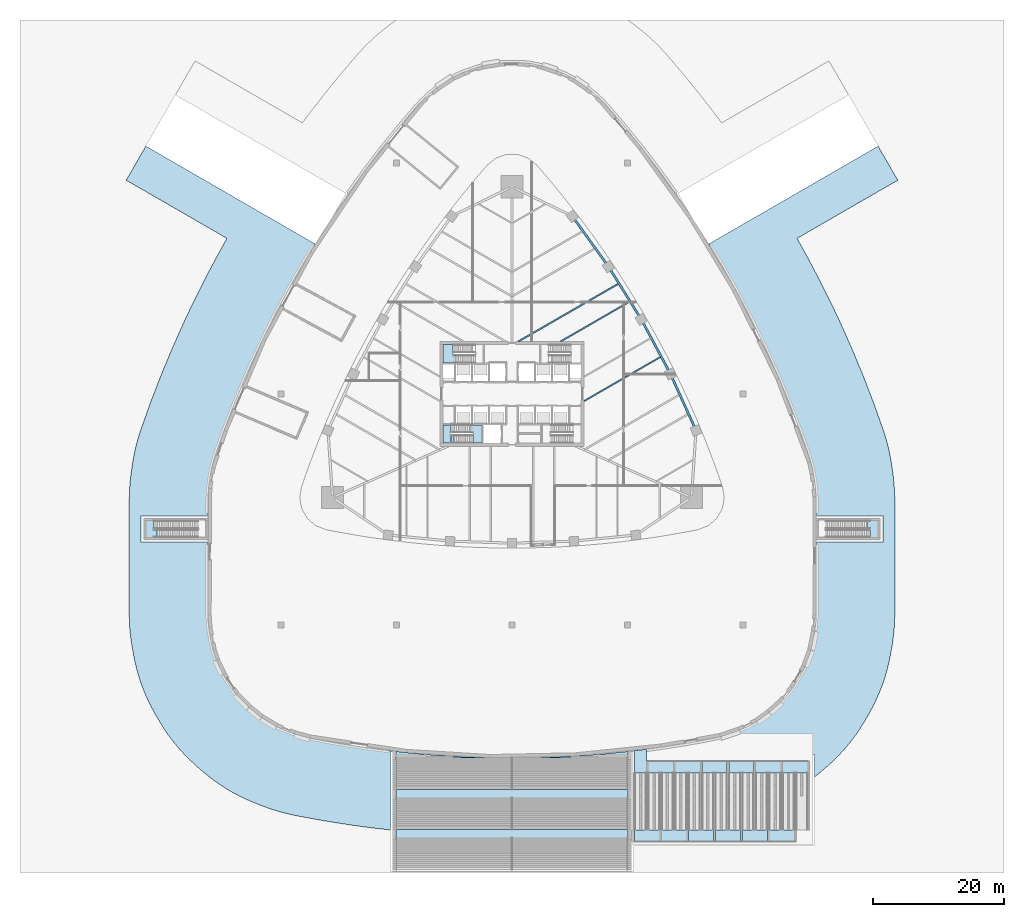
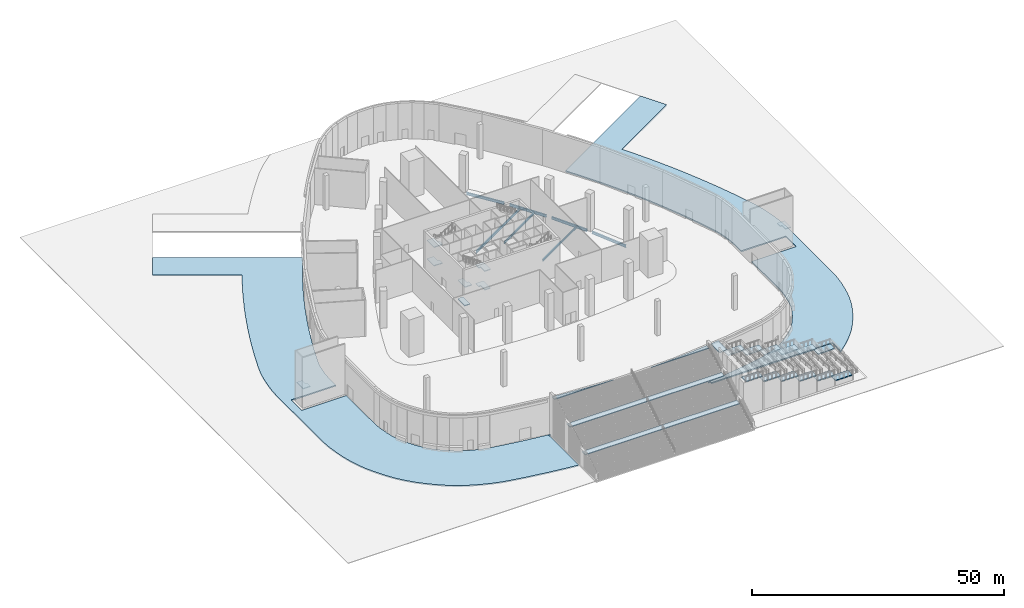
# One storey, part 2 of 29: 27 slabs, 7 beams, 5 elements without a shape of their own.
"""IFC4 building model written with IfcOpenShell, lengths in metres."""

import ifcopenshell
import ifcopenshell.guid

model = None  # the IFC model being written
_history = None  # IfcOwnerHistory: only IFC2X3 demands one
_inside = {}  # id of a spatial element -> (the spatial element, [elements in it])
_under = {}  # id of a project, library or spatial element -> (it, [spatial elements below it])
_declared = {}  # id of a project -> (the project, [libraries it declares])
_typed = {}  # id of a type object -> (the type object, [elements of that type])
_made_of = {}  # id of a material, layer set ... -> (it, [elements and type objects made of it])


def new_model(schema):
    """Start an empty IFC model of exactly this schema.

    Asked for "IFC4X3", IfcOpenShell would pick the latest addendum, in which some entities
    have other attributes; the version numbers below select the first issue.
    IFC2X3 requires an IfcOwnerHistory on every rooted entity: one is made here for all.
    """
    global model, _history
    if schema == "IFC4X3":
        model = ifcopenshell.file(schema_version=(4, 3, 0, 0))
    else:
        model = ifcopenshell.file(schema=schema)
    _inside.clear()
    _under.clear()
    _declared.clear()
    _typed.clear()
    _made_of.clear()
    _history = None
    if model.schema == "IFC2X3":
        org = make("IfcOrganization", Name="unknown")
        user = make(
            "IfcPersonAndOrganization",
            ThePerson=make("IfcPerson", FamilyName="unknown"),
            TheOrganization=org,
        )
        app = make(
            "IfcApplication",
            ApplicationDeveloper=org,
            Version="unknown",
            ApplicationFullName="unknown",
            ApplicationIdentifier="unknown",
        )
        _history = make(
            "IfcOwnerHistory",
            OwningUser=user,
            OwningApplication=app,
            ChangeAction="ADDED",
            CreationDate=0,
        )
    return model


def make(cls, **values):
    """One entity of the class cls with the attributes given. An attribute that is None is left unset."""
    return model.create_entity(
        cls, **{name: value for name, value in values.items() if value is not None}
    )


def rooted(cls, **values):
    """An entity with a GlobalId (a new one), such as an element, a storey or a relation."""
    return make(cls, GlobalId=ifcopenshell.guid.new(), OwnerHistory=_history, **values)


def si_unit(unit_type, name, prefix=None):
    """IfcSIUnit, for example si_unit("LENGTHUNIT", "METRE", prefix="MILLI")."""
    return make("IfcSIUnit", UnitType=unit_type, Prefix=prefix, Name=name)


def assignment(units):
    """IfcUnitAssignment: the units of a project."""
    return None if units is None else make("IfcUnitAssignment", Units=units)


def point(xyz):
    """IfcCartesianPoint."""
    return None if xyz is None else make("IfcCartesianPoint", Coordinates=xyz)


def direction(xyz):
    """IfcDirection."""
    return None if xyz is None else make("IfcDirection", DirectionRatios=xyz)


def frame(location, z_axis=None, x_axis=None):
    """IfcAxis2Placement3D, a coordinate frame: its origin and axes. An axis left out is left unset."""
    return make(
        "IfcAxis2Placement3D",
        Location=point(location),
        Axis=direction(z_axis),
        RefDirection=direction(x_axis),
    )


def frame_2d(location, x_axis=None):
    """IfcAxis2Placement2D, a coordinate frame in the plane: its origin and x axis."""
    return make(
        "IfcAxis2Placement2D", Location=point(location), RefDirection=direction(x_axis)
    )


def origin():
    """The frame at (0, 0, 0) with its axes left unset."""
    return frame((0.0, 0.0, 0.0))


def origin_2d():
    """The frame at (0, 0) in the plane with its x axis left unset."""
    return frame_2d((0.0, 0.0))


def place(relative_to, where):
    """IfcLocalPlacement: puts the frame where relative to a parent placement (None: the world)."""
    return make(
        "IfcLocalPlacement", PlacementRelTo=relative_to, RelativePlacement=where
    )


def context(
    kind, dimensions, precision=None, world=None, true_north=None, identifier=None
):
    """IfcGeometricRepresentationContext, for example the 3D "Model" context."""
    return make(
        "IfcGeometricRepresentationContext",
        ContextIdentifier=identifier,
        ContextType=kind,
        CoordinateSpaceDimension=dimensions,
        Precision=precision,
        WorldCoordinateSystem=world,
        TrueNorth=true_north,
    )


def subcontext(parent, identifier, kind, view, scale=None):
    """IfcGeometricRepresentationSubContext, for example "Body" below "Model"."""
    return make(
        "IfcGeometricRepresentationSubContext",
        ContextIdentifier=identifier,
        ContextType=kind,
        ParentContext=parent,
        TargetScale=scale,
        TargetView=view,
    )


def project(units=None, contexts=None):
    """IfcProject with its units and contexts."""
    return rooted(
        "IfcProject",
        Name="project",
        RepresentationContexts=contexts,
        UnitsInContext=assignment(units),
    )


def spatial(cls, under=None, at=None, **own):
    """A site, building, storey or space (cls), placed at a placement, below another one or the project."""
    s = rooted(cls, ObjectPlacement=at, **own)
    if under is not None:
        _under.setdefault(under.id(), (under, []))[1].append(s)
    return s


def polyline(points):
    """IfcPolyline through the points."""
    return make("IfcPolyline", Points=[point(p) for p in points])


def profile(cls, at=None, kind="AREA", **sizes):
    """A parametric profile (cls). Its sizes go by their IFC names, for example OverallWidth=200.0."""
    return make(cls, ProfileType=kind, Position=at, **sizes)


def i_section(**sizes):
    """IfcIShapeProfileDef."""
    return profile("IfcIShapeProfileDef", **sizes)


def outline(outer, holes=None, kind="AREA"):
    """IfcArbitraryClosedProfileDef: a profile drawn as a closed curve; with holes, ...WithVoids."""
    if holes is None:
        return make("IfcArbitraryClosedProfileDef", ProfileType=kind, OuterCurve=outer)
    return make(
        "IfcArbitraryProfileDefWithVoids",
        ProfileType=kind,
        OuterCurve=outer,
        InnerCurves=holes,
    )


def extrude(swept, where, along, depth):
    """IfcExtrudedAreaSolid: the profile swept, set in the frame where, extruded along a direction by depth."""
    return make(
        "IfcExtrudedAreaSolid",
        SweptArea=swept,
        Position=where,
        ExtrudedDirection=direction(along),
        Depth=depth,
    )


def shape(context_of_items, identifier, shape_type, items):
    """IfcShapeRepresentation: the items that make up one representation, for example the "Body"."""
    return make(
        "IfcShapeRepresentation",
        ContextOfItems=context_of_items,
        RepresentationIdentifier=identifier,
        RepresentationType=shape_type,
        Items=items,
    )


def material(Name=None, Category=None):
    """IfcMaterial."""
    return make("IfcMaterial", Name=Name, Category=Category)


def layer(
    of_material, thickness, ventilated=None, Name=None, Category=None, Priority=None
):
    """IfcMaterialLayer: one layer of a wall or slab, of a material (None: an air gap)."""
    return make(
        "IfcMaterialLayer",
        Material=of_material,
        LayerThickness=thickness,
        IsVentilated=ventilated,
        Name=Name,
        Category=Category,
        Priority=Priority,
    )


def layer_set(layers, Name=None):
    """IfcMaterialLayerSet."""
    return make("IfcMaterialLayerSet", MaterialLayers=layers, LayerSetName=Name)


def material_profile(
    of_material, cross_section, Name=None, Category=None, Priority=None
):
    """IfcMaterialProfile: a cross section and its material."""
    return make(
        "IfcMaterialProfile",
        Name=Name,
        Material=of_material,
        Profile=cross_section,
        Priority=Priority,
        Category=Category,
    )


def profile_set(profiles, Name=None, composite=None):
    """IfcMaterialProfileSet."""
    return make(
        "IfcMaterialProfileSet",
        Name=Name,
        MaterialProfiles=profiles,
        CompositeProfile=composite,
    )


def made_of(thing, what):
    """Note that an element or type object is made of a material, layer set ...; save() writes the relation."""
    if what is not None:
        _made_of.setdefault(what.id(), (what, []))[1].append(thing)
    return thing


def type_object(cls, material=None, **own):
    """A type object (cls), such as IfcWallType, which elements share."""
    return made_of(rooted(cls, **own), material)


def element(
    cls,
    number,
    at=None,
    inside=None,
    cuts=None,
    type_object=None,
    material=None,
    context=None,
    identifier="Body",
    shape_type=None,
    held_by="IfcProductDefinitionShape",
    body=None,
    shapes=None,
    **own,
):
    """One element of the class cls, such as IfcWall. Its Tag is "e" and its number.

    at: its placement. inside: the storey or other place that contains it. cuts: it is an
    opening in that element (IfcRelVoidsElement). A single representation is given by context,
    identifier, shape_type and body (its items); several are given by shapes. held_by: the class
    of the entity that holds the representations. save() writes the other relations.
    """
    e = rooted(cls, Tag="e%d" % number, ObjectPlacement=at, **own)
    if body is not None:
        shapes = [shape(context, identifier, shape_type, body)]
    if shapes is not None:
        e.Representation = make(held_by, Representations=shapes)
    if inside is not None:
        _inside.setdefault(inside.id(), (inside, []))[1].append(e)
    if cuts is not None:
        rooted(
            "IfcRelVoidsElement", RelatingBuildingElement=cuts, RelatedOpeningElement=e
        )
    if type_object is not None:
        _typed.setdefault(type_object.id(), (type_object, []))[1].append(e)
    return made_of(e, material)


def aggregate(whole, parts):
    """IfcRelAggregates: a whole, such as a stair, and the parts it consists of."""
    return rooted("IfcRelAggregates", RelatingObject=whole, RelatedObjects=parts)


def save(model, path):
    """Write the relations noted so far, then the file.

    IfcRelAggregates (storeys below a building ...), IfcRelContainedInSpatialStructure (elements
    in a storey), IfcRelDefinesByType, IfcRelAssociatesMaterial and IfcRelDeclares: one each for
    every whole, place, type object, material and project.
    """
    for whole, parts in _under.values():
        aggregate(whole, parts)
    for where, things in _inside.values():
        rooted(
            "IfcRelContainedInSpatialStructure",
            RelatedElements=things,
            RelatingStructure=where,
        )
    for kind, things in _typed.values():
        rooted("IfcRelDefinesByType", RelatedObjects=things, RelatingType=kind)
    for what, things in _made_of.values():
        rooted("IfcRelAssociatesMaterial", RelatedObjects=things, RelatingMaterial=what)
    for by, libraries in _declared.values():
        rooted("IfcRelDeclares", RelatingContext=by, RelatedDefinitions=libraries)
    model.write(path)


model = new_model("IFC4")

# Units and contexts
model_context = context("Model", 3, precision=1e-05, world=origin(), true_north=direction((0.0, 1.0)))
body_context = subcontext(model_context, "Body", "Model", "MODEL_VIEW")
ifc_project = project(units=[si_unit("LENGTHUNIT", "METRE"), si_unit("AREAUNIT", "SQUARE_METRE"), si_unit("VOLUMEUNIT", "CUBIC_METRE"), si_unit("PLANEANGLEUNIT", "RADIAN"), si_unit("MASSUNIT", "GRAM", prefix="KILO")], contexts=[model_context])

# Site, building, storey
site_placement = place(None, origin())
site = spatial("IfcSite", under=ifc_project, at=site_placement, CompositionType="ELEMENT")
building_placement = place(site_placement, origin())
building = spatial("IfcBuilding", under=site, at=building_placement, Name="Sierra Prisma Convention Tower", CompositionType="ELEMENT")
storey_placement = place(building_placement, origin())
storey = spatial("IfcBuildingStorey", under=building, at=storey_placement, Name="L00", CompositionType="ELEMENT", Elevation=0.0)

# Beams
ifc_material_1 = material(Name="Steel ASTM A992 Gr 50", Category="steel")
ifc_material_profile_1 = material_profile(ifc_material_1, i_section(OverallWidth=0.208984375, OverallDepth=0.532958984375, WebThickness=0.01025390625, FlangeThickness=0.015625, at=origin_2d()), Name="W530x92")
ifc_profile_set_1 = profile_set([ifc_material_profile_1], Name="Steel ASTM A992 Gr 50")
beam_type_1 = type_object("IfcBeamType", Name="Floor joist W530x92", PredefinedType="JOIST", material=ifc_profile_set_1)
beam_1_placement = place(storey_placement, frame((22.639404296875, 5.638671875, -0.5166015625), z_axis=(-0.866026773083, -0.499997628298, 0.0), x_axis=(0.499997628298, -0.866026773083, 0.0)))
element("IfcBeam", 1, at=beam_1_placement, inside=storey, type_object=beam_type_1, Name="Floor joist L00 NE07", PredefinedType="JOIST", context=body_context, shape_type="SweptSolid", body=[
    extrude(i_section(OverallWidth=0.208984375, OverallDepth=0.532958984375, WebThickness=0.01025390625, FlangeThickness=0.015625, at=origin_2d()), origin(), (0.0, 0.0, 1.0), 13.43994140625),
])
beam_2_placement = place(storey_placement, frame((17.90380859375, 14.052978515625, -0.5166015625), z_axis=(-0.866021694642, -0.500006424369, 0.0), x_axis=(0.500006424369, -0.866021694642, 0.0)))
element("IfcBeam", 2, at=beam_2_placement, inside=storey, type_object=beam_type_1, Name="Floor joist L00 NE10", PredefinedType="JOIST", context=body_context, shape_type="SweptSolid", body=[
    extrude(i_section(OverallWidth=0.208984375, OverallDepth=0.532958984375, WebThickness=0.01025390625, FlangeThickness=0.015625, at=origin_2d()), origin(), (0.0, 0.0, 1.0), 12.105712890625),
])
ifc_material_2 = material(Name="Steel ASTM A992 Gr 50", Category="steel")
ifc_material_profile_2 = material_profile(ifc_material_2, i_section(OverallWidth=0.22802734375, OverallDepth=0.60302734375, WebThickness=0.010498046875, FlangeThickness=0.014892578125, at=origin_2d()), Name="W610x101")
ifc_profile_set_2 = profile_set([ifc_material_profile_2], Name="Steel ASTM A992 Gr 50")
beam_type_2 = type_object("IfcBeamType", Name="Floor joist W610x101", PredefinedType="JOIST", material=ifc_profile_set_2)
beam_3_placement = place(storey_placement, frame((16.203125, 16.787109375, -0.551513671875), z_axis=(-0.866025498715, -0.499999835575, 0.0), x_axis=(0.499999835575, -0.866025498715, 0.0)))
element("IfcBeam", 3, at=beam_3_placement, inside=storey, type_object=beam_type_2, Name="Floor joist L00 NE11", PredefinedType="JOIST", context=body_context, shape_type="SweptSolid", body=[
    extrude(i_section(OverallWidth=0.22802734375, OverallDepth=0.60302734375, WebThickness=0.010498046875, FlangeThickness=0.014892578125, at=origin_2d()), origin(), (0.0, 0.0, 1.0), 17.57421875),
])
ifc_material_3 = material(Name="Steel ASTM A992 Gr 50", Category="steel")
ifc_material_profile_3 = material_profile(ifc_material_3, i_section(OverallWidth=0.324951171875, OverallDepth=0.615966796875, WebThickness=0.013916015625, FlangeThickness=0.021484375, at=origin_2d()), Name="W610x174")
ifc_profile_set_3 = profile_set([ifc_material_profile_3], Name="Steel ASTM A992 Gr 50")
beam_type_3 = type_object("IfcBeamType", Name="Spandrel beam W610x174", PredefinedType="BEAM", material=ifc_profile_set_3)
beam_4_placement = place(storey_placement, frame((27.8173828125, -5.05029296875, -0.55810546875), z_axis=(-0.41230108384, 0.911047647637, 0.0), x_axis=(-0.911047647637, -0.41230108384, 0.0)))
element("IfcBeam", 4, at=beam_4_placement, inside=storey, type_object=beam_type_3, Name="Spandrel L00-08", PredefinedType="BEAM", context=body_context, shape_type="SweptSolid", body=[
    extrude(i_section(OverallWidth=0.324951171875, OverallDepth=0.615966796875, WebThickness=0.013916015625, FlangeThickness=0.021484375, at=origin_2d()), origin(), (0.0, 0.0, 1.0), 8.294677734375),
])
beam_5_placement = place(storey_placement, frame((23.884521484375, 3.54736328125, -0.55810546875), z_axis=(-0.471267929576, 0.881990101165, 0.0), x_axis=(-0.881990101165, -0.471267929576, 0.0)))
element("IfcBeam", 5, at=beam_5_placement, inside=storey, type_object=beam_type_3, Name="Spandrel L00-09", PredefinedType="BEAM", context=body_context, shape_type="SweptSolid", body=[
    extrude(i_section(OverallWidth=0.324951171875, OverallDepth=0.615966796875, WebThickness=0.013916015625, FlangeThickness=0.021484375, at=origin_2d()), origin(), (0.0, 0.0, 1.0), 8.29443359375),
])
beam_6_placement = place(storey_placement, frame((19.3955078125, 11.867919921875, -0.55810546875), z_axis=(-0.528185415417, 0.849129063771, 0.0), x_axis=(-0.849129063771, -0.528185415417, 0.0)))
element("IfcBeam", 6, at=beam_6_placement, inside=storey, type_object=beam_type_3, Name="Spandrel L00-10", PredefinedType="BEAM", context=body_context, shape_type="SweptSolid", body=[
    extrude(i_section(OverallWidth=0.324951171875, OverallDepth=0.615966796875, WebThickness=0.013916015625, FlangeThickness=0.021484375, at=origin_2d()), origin(), (0.0, 0.0, 1.0), 8.294677734375),
])
beam_7_placement = place(storey_placement, frame((14.36962890625, 19.87548828125, -0.55810546875), z_axis=(-0.582854647492, 0.812576433265, 0.0), x_axis=(-0.812576433265, -0.582854647492, 0.0)))
element("IfcBeam", 7, at=beam_7_placement, inside=storey, type_object=beam_type_3, Name="Spandrel L00-11", PredefinedType="BEAM", context=body_context, shape_type="SweptSolid", body=[
    extrude(i_section(OverallWidth=0.324951171875, OverallDepth=0.615966796875, WebThickness=0.013916015625, FlangeThickness=0.021484375, at=origin_2d()), origin(), (0.0, 0.0, 1.0), 8.294921875),
])

# Slabs
ifc_material_4 = material(Name="Concrete C35/45, limestone finish", Category="masonry")
ifc_layer_1 = layer(ifc_material_4, 0.199951171875)
ifc_layer_set_1 = layer_set([ifc_layer_1], Name="Garden stair head slab 200")
slab_type_1 = type_object("IfcSlabType", Name="Garden stair head slab 200", PredefinedType="FLOOR", material=ifc_layer_set_1)
slab_1_placement = place(storey_placement, frame((0.0, 0.0, 8.800048828125)))
element("IfcSlab", 8, at=slab_1_placement, inside=storey, type_object=slab_type_1, Name="Garden stair head slab west", PredefinedType="FLOOR", context=body_context, shape_type="SweptSolid", body=[
    extrude(outline(polyline([(-4.179443359375, -55.490234375), (-4.178466796875, -55.435546875), (-7.6767578125, -55.313720703125), (-11.9150390625, -55.051513671875), (-16.0908203125, -54.681396484375), (-17.699951171875, -54.495361328125), (-17.699951171875, -55.490234375), (-4.179443359375, -55.490234375)])), origin(), (0.0, 0.0, 1.0), 0.199951171875),
])
slab_2_placement = place(storey_placement, frame((0.0, 0.0, 8.800048828125)))
element("IfcSlab", 9, at=slab_2_placement, inside=storey, type_object=slab_type_1, Name="Garden stair head slab east", PredefinedType="FLOOR", context=body_context, shape_type="SweptSolid", body=[
    extrude(outline(polyline([(17.699951171875, -55.490234375), (17.699951171875, -54.503173828125), (14.1328125, -54.868408203125), (9.762939453125, -55.198974609375), (5.262939453125, -55.412109375), (4.4267578125, -55.43408203125), (4.427490234375, -55.490234375), (17.699951171875, -55.490234375)])), origin(), (0.0, 0.0, 1.0), 0.199951171875),
])
ifc_material_5 = material(Name="Concrete C35/45, limestone finish", Category="masonry")
ifc_layer_2 = layer(ifc_material_5, 0.199951171875)
ifc_layer_set_2 = layer_set([ifc_layer_2], Name="Garden stair landing slab 200")
slab_type_2 = type_object("IfcSlabType", Name="Garden stair landing slab 200", PredefinedType="LANDING", material=ifc_layer_set_2)
slab_3_placement = place(storey_placement, frame((0.0, 0.0, 2.800048828125)))
element("IfcSlab", 10, at=slab_3_placement, inside=storey, type_object=slab_type_2, Name="Garden stair landing 1", PredefinedType="LANDING", context=body_context, shape_type="SweptSolid", body=[
    extrude(outline(polyline([(17.699951171875, -67.690185546875), (17.699951171875, -66.39013671875), (-17.699951171875, -66.39013671875), (-17.699951171875, -67.690185546875), (17.699951171875, -67.690185546875)])), origin(), (0.0, 0.0, 1.0), 0.199951171875),
])
slab_4_placement = place(storey_placement, frame((0.0, 0.0, 5.800048828125)))
element("IfcSlab", 11, at=slab_4_placement, inside=storey, type_object=slab_type_2, Name="Garden stair landing 2", PredefinedType="LANDING", context=body_context, shape_type="SweptSolid", body=[
    extrude(outline(polyline([(17.699951171875, -61.59033203125), (17.699951171875, -60.290283203125), (-17.699951171875, -60.290283203125), (-17.699951171875, -61.59033203125), (17.699951171875, -61.59033203125)])), origin(), (0.0, 0.0, 1.0), 0.199951171875),
])
ifc_material_6 = material(Name="Concrete C25/30", Category="concrete")
ifc_layer_3 = layer(ifc_material_6, 0.300048828125)
ifc_layer_set_3 = layer_set([ifc_layer_3], Name="Ground paving slab 300")
slab_type_3 = type_object("IfcSlabType", Name="Ground paving slab 300", PredefinedType="FLOOR", material=ifc_layer_set_3)
slab_5_placement = place(storey_placement, frame((0.0, 0.0, -0.300048828125)))
element("IfcSlab", 12, at=slab_5_placement, inside=storey, type_object=slab_type_3, Name="Forecourt and street paving 1", PredefinedType="FLOOR", context=body_context, shape_type="SweptSolid", body=[
    extrude(outline(polyline([(-21.93603515625, -66.0830078125), (-18.5, -66.48291015625), (-18.5, -54.489990234375), (-17.867919921875, -54.489990234375), (-17.866943359375, -54.47607421875), (-20.30908203125, -54.194091796875), (-22.701904296875, -53.865966796875), (-26.77587890625, -53.222900390625), (-30.76806640625, -52.485107421875), (-31.758056640625, -52.259033203125), (-33.152099609375, -51.8330078125), (-34.676025390625, -51.257080078125), (-35.868896484375, -50.737060546875), (-36.873046875, -50.212890625), (-38.198974609375, -49.347900390625), (-39.22509765625, -48.547119140625), (-40.080078125, -47.81689453125), (-41.031005859375, -46.927978515625), (-42.092041015625, -45.751953125), (-42.76611328125, -44.842041015625), (-43.1689453125, -44.22705078125), (-44.028076171875, -42.77001953125), (-44.62890625, -41.614990234375), (-45.080078125, -40.576904296875), (-45.568115234375, -39.070068359375), (-45.862060546875, -37.802001953125), (-46.23291015625, -35.60009765625), (-46.31689453125, -34.68603515625), (-46.35498046875, -33.632080078125), (-46.35498046875, -22.675048828125), (-56.574951171875, -22.675048828125), (-56.574951171875, -18.52490234375), (-46.35498046875, -18.52490234375), (-46.35498046875, -16.056884765625), (-46.26611328125, -14.3798828125), (-45.955078125, -12.22900390625), (-45.761962890625, -11.23095703125), (-45.548095703125, -10.3740234375), (-45.2490234375, -9.403076171875), (-43.89208984375, -5.576904296875), (-42.342041015625, -1.551025390625), (-40.73095703125, 2.319091796875), (-38.9951171875, 6.195068359375), (-37.9619140625, 8.3779296875), (-36.06591796875, 12.177978515625), (-34.126953125, 15.818115234375), (-32.947998046875, 17.926025390625), (-30.797119140625, 21.587890625), (-30.0009765625, 22.865966796875), (-55.81591796875, 37.77099609375), (-58.81591796875, 32.574951171875), (-43.4619140625, 23.7099609375), (-44.718017578125, 21.458984375), (-46.656982421875, 17.819091796875), (-48.698974609375, 13.737060546875), (-49.947998046875, 11.09912109375), (-51.81005859375, 6.929931640625), (-53.5400390625, 2.760986328125), (-55.091064453125, -1.264892578125), (-56.55908203125, -5.39208984375), (-56.718017578125, -5.873046875), (-57.01708984375, -6.843994140625), (-57.18994140625, -7.466064453125), (-57.404052734375, -8.323974609375), (-57.5439453125, -8.9541015625), (-57.737060546875, -9.950927734375), (-57.8310546875, -10.510009765625), (-58.14208984375, -12.660888671875), (-58.2490234375, -13.7470703125), (-58.337890625, -15.425048828125), (-58.35498046875, -16.056884765625), (-58.35498046875, -33.632080078125), (-58.346923828125, -34.06201171875), (-58.30908203125, -35.115966796875), (-58.26611328125, -35.787109375), (-58.181884765625, -36.700927734375), (-58.06591796875, -37.590087890625), (-57.696044921875, -39.79296875), (-57.552001953125, -40.514892578125), (-57.257080078125, -41.782958984375), (-56.985107421875, -42.76611328125), (-56.4970703125, -44.27197265625), (-56.083984375, -45.364013671875), (-55.633056640625, -46.402099609375), (-55.277099609375, -47.14892578125), (-54.676025390625, -48.303955078125), (-54.363037109375, -48.867919921875), (-53.50390625, -50.324951171875), (-53.205078125, -50.805908203125), (-52.802001953125, -51.419921875), (-52.4130859375, -51.97900390625), (-51.739013671875, -52.889892578125), (-51.0009765625, -53.791015625), (-49.94091796875, -54.967041015625), (-49.22509765625, -55.696044921875), (-48.27392578125, -56.583984375), (-47.876953125, -56.93798828125), (-47.02197265625, -57.6689453125), (-46.610107421875, -58.006103515625), (-45.583984375, -58.806884765625), (-44.7529296875, -59.40087890625), (-43.427001953125, -60.26611328125), (-42.4208984375, -60.85400390625), (-41.416015625, -61.376953125), (-40.6689453125, -61.735107421875), (-39.47607421875, -62.256103515625), (-38.91796875, -62.48291015625), (-37.39404296875, -63.05908203125), (-36.654052734375, -63.31103515625), (-35.260986328125, -63.736083984375), (-34.43603515625, -63.9560546875), (-33.446044921875, -64.18310546875), (-32.948974609375, -64.284912109375), (-28.95703125, -65.02294921875), (-24.573974609375, -65.718994140625), (-21.93603515625, -66.0830078125)])), origin(), (0.0, 0.0, 1.0), 0.300048828125),
])
slab_6_placement = place(storey_placement, frame((0.0, 0.0, -0.300048828125)))
element("IfcSlab", 13, at=slab_6_placement, inside=storey, type_object=slab_type_3, Name="Forecourt and street paving 3", PredefinedType="FLOOR", context=body_context, shape_type="SweptSolid", body=[
    extrude(outline(polyline([(43.449951171875, 23.702880859375), (58.81494140625, 32.573974609375), (55.81494140625, 37.77001953125), (30.006103515625, 22.868896484375), (31.964111328125, 19.62890625), (34.126953125, 15.818115234375), (36.1220703125, 12.069091796875), (37.9619140625, 8.3779296875), (38.99609375, 6.195068359375), (40.73095703125, 2.319091796875), (42.386962890625, -1.6650390625), (43.89208984375, -5.576904296875), (45.2490234375, -9.403076171875), (45.548095703125, -10.3740234375), (45.761962890625, -11.23095703125), (45.955078125, -12.22900390625), (46.20703125, -13.875), (46.346923828125, -15.666015625), (46.347900390625, -18.52490234375), (56.569091796875, -18.52490234375), (56.569091796875, -22.675048828125), (46.35009765625, -22.675048828125), (46.35498046875, -33.632080078125), (46.31689453125, -34.68603515625), (46.15087890625, -36.18994140625), (45.862060546875, -37.802001953125), (45.568115234375, -39.070068359375), (45.237060546875, -40.153076171875), (44.62890625, -41.614990234375), (44.028076171875, -42.77001953125), (43.466064453125, -43.7451171875), (42.76611328125, -44.842041015625), (42.092041015625, -45.751953125), (41.031982421875, -46.927978515625), (40.5009765625, -47.43603515625), (39.22509765625, -48.547119140625), (38.199951171875, -49.347900390625), (37.260986328125, -49.98193359375), (35.868896484375, -50.737060546875), (34.676025390625, -51.257080078125), (33.152099609375, -51.8330078125), (31.758056640625, -52.259033203125), (31.199951171875, -52.39208984375), (29.02001953125, -52.822021484375), (26.708984375, -53.23388671875), (22.702880859375, -53.865966796875), (20.376953125, -54.18505859375), (17.972900390625, -54.47509765625), (17.97412109375, -54.489990234375), (18.5, -54.489990234375), (18.5, -55.0), (46.125, -55.0), (46.125, -58.385009765625), (46.610107421875, -58.006103515625), (47.10888671875, -57.594970703125), (48.384033203125, -56.48388671875), (48.801025390625, -56.10302734375), (49.33203125, -55.593994140625), (49.94091796875, -54.967041015625), (51.0009765625, -53.791015625), (51.739013671875, -52.889892578125), (52.4130859375, -51.97900390625), (52.882080078125, -51.2958984375), (53.58203125, -50.198974609375), (53.85791015625, -49.7451171875), (54.4208984375, -48.77001953125), (54.676025390625, -48.303955078125), (55.277099609375, -47.14892578125), (55.708984375, -46.222900390625), (56.31689453125, -44.760986328125), (56.7109375, -43.6640625), (57.04296875, -42.5810546875), (57.257080078125, -41.782958984375), (57.552001953125, -40.514892578125), (57.674072265625, -39.9169921875), (57.962890625, -38.304931640625), (58.077880859375, -37.507080078125), (58.243896484375, -36.0029296875), (58.30908203125, -35.115966796875), (58.346923828125, -34.06201171875), (58.35498046875, -33.626953125), (58.346923828125, -15.660888671875), (58.31005859375, -14.72900390625), (58.169921875, -12.93798828125), (58.069091796875, -12.06103515625), (57.81689453125, -10.4140625), (57.737060546875, -9.950927734375), (57.5439453125, -8.9541015625), (57.404052734375, -8.323974609375), (57.18994140625, -7.466064453125), (57.01708984375, -6.843994140625), (56.718017578125, -5.873046875), (56.55908203125, -5.39208984375), (55.201904296875, -1.56591796875), (53.5869140625, 2.64306640625), (51.81201171875, 6.926025390625), (49.947998046875, 11.09912109375), (48.700927734375, 13.73291015625), (46.715087890625, 17.7060546875), (44.720947265625, 21.455078125), (43.449951171875, 23.702880859375)])), origin(), (0.0, 0.0, 1.0), 0.300048828125),
])

# Ramp, slabs
ramp_placement = place(storey_placement, origin())
ramp = element("IfcRamp", 14, at=ramp_placement, inside=storey, Name="Accessible ramp to the garden deck", PredefinedType="NOTDEFINED")
ifc_material_7 = material(Name="Concrete C35/45", Category="concrete")
ifc_layer_4 = layer(ifc_material_7, 0.25)
ifc_layer_set_4 = layer_set([ifc_layer_4], Name="Ramp landing slab 250")
slab_type_4 = type_object("IfcSlabType", Name="Ramp landing slab 250", PredefinedType="LANDING", material=ifc_layer_set_4)
slab_7_placement = place(storey_placement, frame((0.0, 0.0, 1.134521484375)))
slab_7 = element("IfcSlab", 15, at=slab_7_placement, type_object=slab_type_4, Name="Accessible ramp landing 1", PredefinedType="LANDING", context=body_context, shape_type="SweptSolid", body=[
    extrude(outline(polyline([(39.199951171875, -68.25390625), (43.050048828125, -68.25390625), (43.050048828125, -66.453857421875), (39.199951171875, -66.453857421875), (39.199951171875, -68.25390625)])), origin(), (0.0, 0.0, 1.0), 0.25),
])
slab_8_placement = place(storey_placement, frame((0.0, 0.0, 2.519287109375)))
slab_8 = element("IfcSlab", 16, at=slab_8_placement, type_object=slab_type_4, Name="Accessible ramp landing 2", PredefinedType="LANDING", context=body_context, shape_type="SweptSolid", body=[
    extrude(outline(polyline([(35.10009765625, -68.25390625), (38.949951171875, -68.25390625), (38.949951171875, -66.453857421875), (35.10009765625, -66.453857421875), (35.10009765625, -68.25390625)])), origin(), (0.0, 0.0, 1.0), 0.25),
])
slab_9_placement = place(storey_placement, frame((0.0, 0.0, 3.90380859375)))
slab_9 = element("IfcSlab", 17, at=slab_9_placement, type_object=slab_type_4, Name="Accessible ramp landing 3", PredefinedType="LANDING", context=body_context, shape_type="SweptSolid", body=[
    extrude(outline(polyline([(31.0, -68.25390625), (34.85009765625, -68.25390625), (34.85009765625, -66.453857421875), (31.0, -66.453857421875), (31.0, -68.25390625)])), origin(), (0.0, 0.0, 1.0), 0.25),
])
slab_10_placement = place(storey_placement, frame((0.0, 0.0, 5.28857421875)))
slab_10 = element("IfcSlab", 18, at=slab_10_placement, type_object=slab_type_4, Name="Accessible ramp landing 4", PredefinedType="LANDING", context=body_context, shape_type="SweptSolid", body=[
    extrude(outline(polyline([(26.89990234375, -68.25390625), (30.75, -68.25390625), (30.75, -66.453857421875), (26.89990234375, -66.453857421875), (26.89990234375, -68.25390625)])), origin(), (0.0, 0.0, 1.0), 0.25),
])
slab_11_placement = place(storey_placement, frame((0.0, 0.0, 6.673095703125)))
slab_11 = element("IfcSlab", 19, at=slab_11_placement, type_object=slab_type_4, Name="Accessible ramp landing 5", PredefinedType="LANDING", context=body_context, shape_type="SweptSolid", body=[
    extrude(outline(polyline([(22.800048828125, -68.25390625), (26.64990234375, -68.25390625), (26.64990234375, -66.453857421875), (22.800048828125, -66.453857421875), (22.800048828125, -68.25390625)])), origin(), (0.0, 0.0, 1.0), 0.25),
])
slab_12_placement = place(storey_placement, frame((0.0, 0.0, 8.0576171875)))
slab_12 = element("IfcSlab", 20, at=slab_12_placement, type_object=slab_type_4, Name="Accessible ramp landing 6", PredefinedType="LANDING", context=body_context, shape_type="SweptSolid", body=[
    extrude(outline(polyline([(18.699951171875, -68.25390625), (22.550048828125, -68.25390625), (22.550048828125, -66.453857421875), (18.699951171875, -66.453857421875), (18.699951171875, -68.25390625)])), origin(), (0.0, 0.0, 1.0), 0.25),
])
slab_13_placement = place(storey_placement, frame((0.0, 0.0, 0.4423828125)))
slab_13 = element("IfcSlab", 21, at=slab_13_placement, type_object=slab_type_4, Name="Accessible ramp landing 7", PredefinedType="LANDING", context=body_context, shape_type="SweptSolid", body=[
    extrude(outline(polyline([(41.25, -57.800048828125), (45.10009765625, -57.800048828125), (45.10009765625, -56.0), (41.25, -56.0), (41.25, -57.800048828125)])), origin(), (0.0, 0.0, 1.0), 0.25),
])
slab_14_placement = place(storey_placement, frame((0.0, 0.0, 1.826904296875)))
slab_14 = element("IfcSlab", 22, at=slab_14_placement, type_object=slab_type_4, Name="Accessible ramp landing 8", PredefinedType="LANDING", context=body_context, shape_type="SweptSolid", body=[
    extrude(outline(polyline([(37.14990234375, -57.800048828125), (41.0, -57.800048828125), (41.0, -56.0), (37.14990234375, -56.0), (37.14990234375, -57.800048828125)])), origin(), (0.0, 0.0, 1.0), 0.25),
])
slab_15_placement = place(storey_placement, frame((0.0, 0.0, 3.21142578125)))
slab_15 = element("IfcSlab", 23, at=slab_15_placement, type_object=slab_type_4, Name="Accessible ramp landing 9", PredefinedType="LANDING", context=body_context, shape_type="SweptSolid", body=[
    extrude(outline(polyline([(33.050048828125, -57.800048828125), (36.89990234375, -57.800048828125), (36.89990234375, -56.0), (33.050048828125, -56.0), (33.050048828125, -57.800048828125)])), origin(), (0.0, 0.0, 1.0), 0.25),
])
slab_16_placement = place(storey_placement, frame((0.0, 0.0, 4.59619140625)))
slab_16 = element("IfcSlab", 24, at=slab_16_placement, type_object=slab_type_4, Name="Accessible ramp landing 10", PredefinedType="LANDING", context=body_context, shape_type="SweptSolid", body=[
    extrude(outline(polyline([(28.949951171875, -57.800048828125), (32.800048828125, -57.800048828125), (32.800048828125, -56.0), (28.949951171875, -56.0), (28.949951171875, -57.800048828125)])), origin(), (0.0, 0.0, 1.0), 0.25),
])
slab_17_placement = place(storey_placement, frame((0.0, 0.0, 5.980712890625)))
slab_17 = element("IfcSlab", 25, at=slab_17_placement, type_object=slab_type_4, Name="Accessible ramp landing 11", PredefinedType="LANDING", context=body_context, shape_type="SweptSolid", body=[
    extrude(outline(polyline([(24.85009765625, -57.800048828125), (28.699951171875, -57.800048828125), (28.699951171875, -56.0), (24.85009765625, -56.0), (24.85009765625, -57.800048828125)])), origin(), (0.0, 0.0, 1.0), 0.25),
])
slab_18_placement = place(storey_placement, frame((0.0, 0.0, 7.365478515625)))
slab_18 = element("IfcSlab", 26, at=slab_18_placement, type_object=slab_type_4, Name="Accessible ramp landing 12", PredefinedType="LANDING", context=body_context, shape_type="SweptSolid", body=[
    extrude(outline(polyline([(20.75, -57.800048828125), (24.60009765625, -57.800048828125), (24.60009765625, -56.0), (20.75, -56.0), (20.75, -57.800048828125)])), origin(), (0.0, 0.0, 1.0), 0.25),
])
slab_19_placement = place(storey_placement, frame((0.0, 0.0, 8.75)))
slab_19 = element("IfcSlab", 27, at=slab_19_placement, type_object=slab_type_4, Name="Accessible ramp top landing", PredefinedType="LANDING", context=body_context, shape_type="SweptSolid", body=[
    extrude(outline(polyline([(20.5, -54.168212890625), (20.376708984375, -54.185302734375), (18.699951171875, -54.390380859375), (18.699951171875, -57.800048828125), (20.5, -57.800048828125), (20.5, -54.168212890625)])), origin(), (0.0, 0.0, 1.0), 0.25),
])
aggregate(ramp, [slab_7, slab_8, slab_9, slab_10, slab_11, slab_12, slab_13, slab_14, slab_15, slab_16, slab_17, slab_18, slab_19])

# Stair, slab
ifc_material_8 = material(Name="Concrete C30/37", Category="concrete")
stair_type = type_object("IfcStairType", Name="Stair dog-leg 1200 RC", PredefinedType="HALF_TURN_STAIR", material=ifc_material_8)
stair_1_placement = place(storey_placement, origin())
stair_1 = element("IfcStair", 28, at=stair_1_placement, inside=storey, type_object=stair_type, Name="L00 EX1", PredefinedType="HALF_TURN_STAIR")
ifc_material_9 = material(Name="Concrete C35/45", Category="concrete")
ifc_layer_5 = layer(ifc_material_9, 0.199951171875)
ifc_layer_set_5 = layer_set([ifc_layer_5], Name="Stair landing slab")
slab_type_5 = type_object("IfcSlabType", Name="Stair landing slab", PredefinedType="LANDING", material=ifc_layer_set_5)
slab_20_placement = place(storey_placement, frame((0.0, 0.0, 4.300048828125)))
slab_20 = element("IfcSlab", 29, at=slab_20_placement, type_object=slab_type_5, Name="EX1 landing 1", PredefinedType="LANDING", context=body_context, shape_type="SweptSolid", body=[
    extrude(outline(polyline([(-54.12451171875, -20.675048828125), (-54.12451171875, -21.875), (-55.774658203125, -21.875), (-55.774658203125, -19.324951171875), (-54.572509765625, -19.324951171875), (-54.572509765625, -20.675048828125), (-54.12451171875, -20.675048828125)])), origin(), (0.0, 0.0, 1.0), 0.199951171875),
])
aggregate(stair_1, [slab_20])

stair_2_placement = place(storey_placement, origin())
stair_2 = element("IfcStair", 30, at=stair_2_placement, inside=storey, type_object=stair_type, Name="L00 EX2", PredefinedType="HALF_TURN_STAIR")
slab_21_placement = place(storey_placement, frame((0.0, 0.0, 4.300048828125)))
slab_21 = element("IfcSlab", 31, at=slab_21_placement, type_object=slab_type_5, Name="EX2 landing 1", PredefinedType="LANDING", context=body_context, shape_type="SweptSolid", body=[
    extrude(outline(polyline([(55.76904296875, -19.324951171875), (55.76904296875, -21.875), (54.567138671875, -21.875), (54.567138671875, -20.52490234375), (54.119140625, -20.52490234375), (54.119140625, -19.324951171875), (55.76904296875, -19.324951171875)])), origin(), (0.0, 0.0, 1.0), 0.199951171875),
])
aggregate(stair_2, [slab_21])

# Stair, slabs
stair_3_placement = place(storey_placement, origin())
stair_3 = element("IfcStair", 32, at=stair_3_placement, inside=storey, type_object=stair_type, Name="L00 S1", PredefinedType="HALF_TURN_STAIR")
slab_22_placement = place(storey_placement, frame((0.0, 0.0, 2.050048828125)))
slab_22 = element("IfcSlab", 33, at=slab_22_placement, type_object=slab_type_5, Name="S1 landing 1", PredefinedType="LANDING", context=body_context, shape_type="SweptSolid", body=[
    extrude(outline(polyline([(-4.60009765625, -4.699951171875), (-4.60009765625, -7.5), (-5.94189453125, -7.5), (-5.94189453125, -5.89990234375), (-6.389892578125, -5.89990234375), (-6.389892578125, -4.699951171875), (-4.60009765625, -4.699951171875)])), origin(), (0.0, 0.0, 1.0), 0.199951171875),
])
slab_23_placement = place(storey_placement, frame((0.0, 0.0, 4.300048828125)))
slab_23 = element("IfcSlab", 34, at=slab_23_placement, type_object=slab_type_5, Name="S1 landing 2", PredefinedType="LANDING", context=body_context, shape_type="SweptSolid", body=[
    extrude(outline(polyline([(-10.5, -7.5), (-10.5, -4.699951171875), (-9.298095703125, -4.699951171875), (-9.298095703125, -6.300048828125), (-8.85009765625, -6.300048828125), (-8.85009765625, -7.5), (-10.5, -7.5)])), origin(), (0.0, 0.0, 1.0), 0.199951171875),
])
slab_24_placement = place(storey_placement, frame((0.0, 0.0, 6.550048828125)))
slab_24 = element("IfcSlab", 35, at=slab_24_placement, type_object=slab_type_5, Name="S1 landing 3", PredefinedType="LANDING", context=body_context, shape_type="SweptSolid", body=[
    extrude(outline(polyline([(-4.60009765625, -4.699951171875), (-4.60009765625, -7.5), (-5.94189453125, -7.5), (-5.94189453125, -5.89990234375), (-6.389892578125, -5.89990234375), (-6.389892578125, -4.699951171875), (-4.60009765625, -4.699951171875)])), origin(), (0.0, 0.0, 1.0), 0.199951171875),
])
aggregate(stair_3, [slab_22, slab_23, slab_24])

# Slab
slab_25_placement = place(storey_placement, frame((0.0, 0.0, -0.199951171875)))
element("IfcSlab", 36, at=slab_25_placement, inside=storey, type_object=slab_type_5, Name="S1 floor landing L00", PredefinedType="LANDING", context=body_context, shape_type="SweptSolid", body=[
    extrude(outline(polyline([(-10.5, -7.5), (-9.298095703125, -7.5), (-9.298095703125, -4.699951171875), (-10.5, -4.699951171875), (-10.5, -7.5)])), origin(), (0.0, 0.0, 1.0), 0.199951171875),
])

# Stair, slabs
stair_4_placement = place(storey_placement, origin())
stair_4 = element("IfcStair", 37, at=stair_4_placement, inside=storey, type_object=stair_type, Name="L00 S3", PredefinedType="HALF_TURN_STAIR")
slab_26_placement = place(storey_placement, frame((0.0, 0.0, 2.050048828125)))
slab_26 = element("IfcSlab", 38, at=slab_26_placement, type_object=slab_type_5, Name="S3 landing 1", PredefinedType="LANDING", context=body_context, shape_type="SweptSolid", body=[
    extrude(outline(polyline([(-8.510009765625, 5.89990234375), (-8.510009765625, 4.699951171875), (-10.5, 4.699951171875), (-10.5, 7.5), (-8.9580078125, 7.5), (-8.9580078125, 5.89990234375), (-8.510009765625, 5.89990234375)])), origin(), (0.0, 0.0, 1.0), 0.199951171875),
])
slab_27_placement = place(storey_placement, frame((0.0, 0.0, 6.550048828125)))
slab_27 = element("IfcSlab", 39, at=slab_27_placement, type_object=slab_type_5, Name="S3 landing 3", PredefinedType="LANDING", context=body_context, shape_type="SweptSolid", body=[
    extrude(outline(polyline([(-8.510009765625, 5.89990234375), (-8.510009765625, 4.699951171875), (-10.5, 4.699951171875), (-10.5, 7.5), (-8.9580078125, 7.5), (-8.9580078125, 5.89990234375), (-8.510009765625, 5.89990234375)])), origin(), (0.0, 0.0, 1.0), 0.199951171875),
])
aggregate(stair_4, [slab_26, slab_27])

save(model, "model.ifc")
